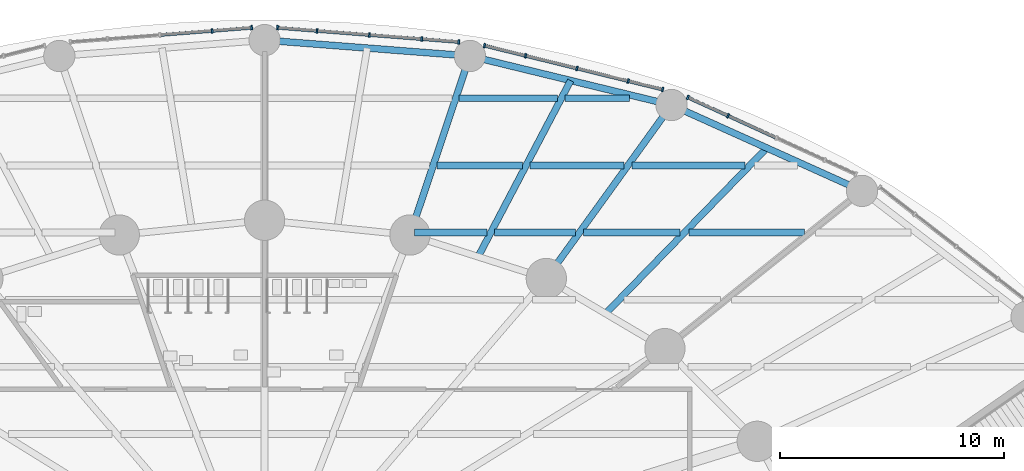
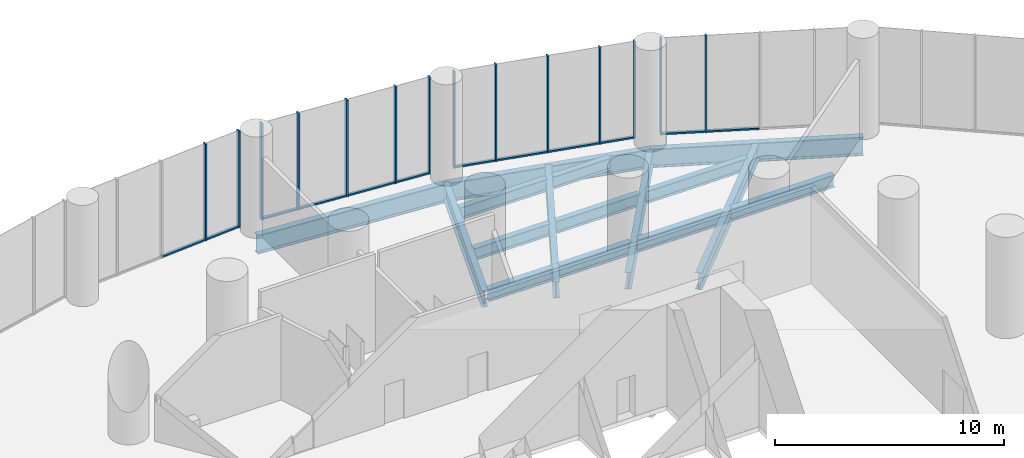
# One storey, part 10 of 21: 26 members, 16 beams, 4 elements without a shape of their own.
"""IFC4 building model written with IfcOpenShell, lengths in metres."""

import ifcopenshell
import ifcopenshell.guid

model = None  # the IFC model being written
_history = None  # IfcOwnerHistory: only IFC2X3 demands one
_inside = {}  # id of a spatial element -> (the spatial element, [elements in it])
_under = {}  # id of a project, library or spatial element -> (it, [spatial elements below it])
_declared = {}  # id of a project -> (the project, [libraries it declares])
_typed = {}  # id of a type object -> (the type object, [elements of that type])
_made_of = {}  # id of a material, layer set ... -> (it, [elements and type objects made of it])


def new_model(schema):
    """Start an empty IFC model of exactly this schema.

    Asked for "IFC4X3", IfcOpenShell would pick the latest addendum, in which some entities
    have other attributes; the version numbers below select the first issue.
    IFC2X3 requires an IfcOwnerHistory on every rooted entity: one is made here for all.
    """
    global model, _history
    if schema == "IFC4X3":
        model = ifcopenshell.file(schema_version=(4, 3, 0, 0))
    else:
        model = ifcopenshell.file(schema=schema)
    _inside.clear()
    _under.clear()
    _declared.clear()
    _typed.clear()
    _made_of.clear()
    _history = None
    if model.schema == "IFC2X3":
        org = make("IfcOrganization", Name="unknown")
        user = make(
            "IfcPersonAndOrganization",
            ThePerson=make("IfcPerson", FamilyName="unknown"),
            TheOrganization=org,
        )
        app = make(
            "IfcApplication",
            ApplicationDeveloper=org,
            Version="unknown",
            ApplicationFullName="unknown",
            ApplicationIdentifier="unknown",
        )
        _history = make(
            "IfcOwnerHistory",
            OwningUser=user,
            OwningApplication=app,
            ChangeAction="ADDED",
            CreationDate=0,
        )
    return model


def make(cls, **values):
    """One entity of the class cls with the attributes given. An attribute that is None is left unset."""
    return model.create_entity(
        cls, **{name: value for name, value in values.items() if value is not None}
    )


def rooted(cls, **values):
    """An entity with a GlobalId (a new one), such as an element, a storey or a relation."""
    return make(cls, GlobalId=ifcopenshell.guid.new(), OwnerHistory=_history, **values)


def si_unit(unit_type, name, prefix=None):
    """IfcSIUnit, for example si_unit("LENGTHUNIT", "METRE", prefix="MILLI")."""
    return make("IfcSIUnit", UnitType=unit_type, Prefix=prefix, Name=name)


def assignment(units):
    """IfcUnitAssignment: the units of a project."""
    return None if units is None else make("IfcUnitAssignment", Units=units)


def point(xyz):
    """IfcCartesianPoint."""
    return None if xyz is None else make("IfcCartesianPoint", Coordinates=xyz)


def direction(xyz):
    """IfcDirection."""
    return None if xyz is None else make("IfcDirection", DirectionRatios=xyz)


def frame(location, z_axis=None, x_axis=None):
    """IfcAxis2Placement3D, a coordinate frame: its origin and axes. An axis left out is left unset."""
    return make(
        "IfcAxis2Placement3D",
        Location=point(location),
        Axis=direction(z_axis),
        RefDirection=direction(x_axis),
    )


def frame_2d(location, x_axis=None):
    """IfcAxis2Placement2D, a coordinate frame in the plane: its origin and x axis."""
    return make(
        "IfcAxis2Placement2D", Location=point(location), RefDirection=direction(x_axis)
    )


def origin():
    """The frame at (0, 0, 0) with its axes left unset."""
    return frame((0.0, 0.0, 0.0))


def origin_2d():
    """The frame at (0, 0) in the plane with its x axis left unset."""
    return frame_2d((0.0, 0.0))


def place(relative_to, where):
    """IfcLocalPlacement: puts the frame where relative to a parent placement (None: the world)."""
    return make(
        "IfcLocalPlacement", PlacementRelTo=relative_to, RelativePlacement=where
    )


def context(
    kind, dimensions, precision=None, world=None, true_north=None, identifier=None
):
    """IfcGeometricRepresentationContext, for example the 3D "Model" context."""
    return make(
        "IfcGeometricRepresentationContext",
        ContextIdentifier=identifier,
        ContextType=kind,
        CoordinateSpaceDimension=dimensions,
        Precision=precision,
        WorldCoordinateSystem=world,
        TrueNorth=true_north,
    )


def subcontext(parent, identifier, kind, view, scale=None):
    """IfcGeometricRepresentationSubContext, for example "Body" below "Model"."""
    return make(
        "IfcGeometricRepresentationSubContext",
        ContextIdentifier=identifier,
        ContextType=kind,
        ParentContext=parent,
        TargetScale=scale,
        TargetView=view,
    )


def project(units=None, contexts=None):
    """IfcProject with its units and contexts."""
    return rooted(
        "IfcProject",
        Name="project",
        RepresentationContexts=contexts,
        UnitsInContext=assignment(units),
    )


def spatial(cls, under=None, at=None, **own):
    """A site, building, storey or space (cls), placed at a placement, below another one or the project."""
    s = rooted(cls, ObjectPlacement=at, **own)
    if under is not None:
        _under.setdefault(under.id(), (under, []))[1].append(s)
    return s


def profile(cls, at=None, kind="AREA", **sizes):
    """A parametric profile (cls). Its sizes go by their IFC names, for example OverallWidth=200.0."""
    return make(cls, ProfileType=kind, Position=at, **sizes)


def rectangle(**sizes):
    """IfcRectangleProfileDef."""
    return profile("IfcRectangleProfileDef", **sizes)


def i_section(**sizes):
    """IfcIShapeProfileDef."""
    return profile("IfcIShapeProfileDef", **sizes)


def extrude(swept, where, along, depth):
    """IfcExtrudedAreaSolid: the profile swept, set in the frame where, extruded along a direction by depth."""
    return make(
        "IfcExtrudedAreaSolid",
        SweptArea=swept,
        Position=where,
        ExtrudedDirection=direction(along),
        Depth=depth,
    )


def shape(context_of_items, identifier, shape_type, items):
    """IfcShapeRepresentation: the items that make up one representation, for example the "Body"."""
    return make(
        "IfcShapeRepresentation",
        ContextOfItems=context_of_items,
        RepresentationIdentifier=identifier,
        RepresentationType=shape_type,
        Items=items,
    )


def material(Name=None, Category=None):
    """IfcMaterial."""
    return make("IfcMaterial", Name=Name, Category=Category)


def material_profile(
    of_material, cross_section, Name=None, Category=None, Priority=None
):
    """IfcMaterialProfile: a cross section and its material."""
    return make(
        "IfcMaterialProfile",
        Name=Name,
        Material=of_material,
        Profile=cross_section,
        Priority=Priority,
        Category=Category,
    )


def profile_set(profiles, Name=None, composite=None):
    """IfcMaterialProfileSet."""
    return make(
        "IfcMaterialProfileSet",
        Name=Name,
        MaterialProfiles=profiles,
        CompositeProfile=composite,
    )


def made_of(thing, what):
    """Note that an element or type object is made of a material, layer set ...; save() writes the relation."""
    if what is not None:
        _made_of.setdefault(what.id(), (what, []))[1].append(thing)
    return thing


def type_object(cls, material=None, **own):
    """A type object (cls), such as IfcWallType, which elements share."""
    return made_of(rooted(cls, **own), material)


def element(
    cls,
    number,
    at=None,
    inside=None,
    cuts=None,
    type_object=None,
    material=None,
    context=None,
    identifier="Body",
    shape_type=None,
    held_by="IfcProductDefinitionShape",
    body=None,
    shapes=None,
    **own,
):
    """One element of the class cls, such as IfcWall. Its Tag is "e" and its number.

    at: its placement. inside: the storey or other place that contains it. cuts: it is an
    opening in that element (IfcRelVoidsElement). A single representation is given by context,
    identifier, shape_type and body (its items); several are given by shapes. held_by: the class
    of the entity that holds the representations. save() writes the other relations.
    """
    e = rooted(cls, Tag="e%d" % number, ObjectPlacement=at, **own)
    if body is not None:
        shapes = [shape(context, identifier, shape_type, body)]
    if shapes is not None:
        e.Representation = make(held_by, Representations=shapes)
    if inside is not None:
        _inside.setdefault(inside.id(), (inside, []))[1].append(e)
    if cuts is not None:
        rooted(
            "IfcRelVoidsElement", RelatingBuildingElement=cuts, RelatedOpeningElement=e
        )
    if type_object is not None:
        _typed.setdefault(type_object.id(), (type_object, []))[1].append(e)
    return made_of(e, material)


def aggregate(whole, parts):
    """IfcRelAggregates: a whole, such as a stair, and the parts it consists of."""
    return rooted("IfcRelAggregates", RelatingObject=whole, RelatedObjects=parts)


def save(model, path):
    """Write the relations noted so far, then the file.

    IfcRelAggregates (storeys below a building ...), IfcRelContainedInSpatialStructure (elements
    in a storey), IfcRelDefinesByType, IfcRelAssociatesMaterial and IfcRelDeclares: one each for
    every whole, place, type object, material and project.
    """
    for whole, parts in _under.values():
        aggregate(whole, parts)
    for where, things in _inside.values():
        rooted(
            "IfcRelContainedInSpatialStructure",
            RelatedElements=things,
            RelatingStructure=where,
        )
    for kind, things in _typed.values():
        rooted("IfcRelDefinesByType", RelatedObjects=things, RelatingType=kind)
    for what, things in _made_of.values():
        rooted("IfcRelAssociatesMaterial", RelatedObjects=things, RelatingMaterial=what)
    for by, libraries in _declared.values():
        rooted("IfcRelDeclares", RelatingContext=by, RelatedDefinitions=libraries)
    model.write(path)


model = new_model("IFC4")

# Units and contexts
model_context = context("Model", 3, precision=1e-05, world=origin(), true_north=direction((0.0, 1.0)))
body_context = subcontext(model_context, "Body", "Model", "MODEL_VIEW")
ifc_project = project(units=[si_unit("LENGTHUNIT", "METRE"), si_unit("AREAUNIT", "SQUARE_METRE"), si_unit("VOLUMEUNIT", "CUBIC_METRE"), si_unit("PLANEANGLEUNIT", "RADIAN"), si_unit("MASSUNIT", "GRAM", prefix="KILO")], contexts=[model_context])

# Site, building, storey
site_placement = place(None, origin())
site = spatial("IfcSite", under=ifc_project, at=site_placement, CompositionType="ELEMENT")
building_placement = place(site_placement, origin())
building = spatial("IfcBuilding", under=site, at=building_placement, Name="Hankou Lantern Tower", CompositionType="ELEMENT")
storey_placement = place(building_placement, frame((0.0, 0.0, 13.800048828125)))
storey = spatial("IfcBuildingStorey", under=building, at=storey_placement, Name="L02", CompositionType="ELEMENT", Elevation=13.800048828125)

# Curtain wall, members
ifc_material_1 = material(Name="Glass, dark grey tinted laminated", Category="glass")
curtain_wall_type = type_object("IfcCurtainWallType", Name="CWP PODIUM CURTAIN WALL", PredefinedType="USERDEFINED", material=ifc_material_1)
curtain_wall_1_placement = place(storey_placement, origin())
curtain_wall_1 = element("IfcCurtainWall", 1, at=curtain_wall_1_placement, inside=storey, type_object=curtain_wall_type, Name="CWP L02 PC02", ObjectType="PODIUM GLAZING", PredefinedType="USERDEFINED")
ifc_material_2 = material(Name="Aluminium, black anodised", Category="aluminium")
ifc_material_profile_1 = material_profile(ifc_material_2, rectangle(XDim=0.080078125, YDim=0.199951171875, at=origin_2d()), Name="MU2 80X200")
ifc_profile_set_1 = profile_set([ifc_material_profile_1], Name="Aluminium, black anodised")
member_type_1 = type_object("IfcMemberType", Name="MU2 PODIUM MULLION 80X200", PredefinedType="MULLION", material=ifc_profile_set_1)
member_1_placement = place(storey_placement, frame((20.711669921875, 24.717041015625, 0.0), z_axis=(0.0, 0.0, 1.0), x_axis=(-0.909669790944, 0.41533224224, 0.0)))
member_1 = element("IfcMember", 2, at=member_1_placement, type_object=member_type_1, Name="CWP mullion 4", PredefinedType="MULLION", context=body_context, shape_type="SweptSolid", body=[
    extrude(rectangle(XDim=0.080078125, YDim=0.199951171875, at=origin_2d()), origin(), (0.0, 0.0, 1.0), 5.14990234375),
])
member_2_placement = place(storey_placement, frame((18.913818359375, 25.537841796875, 0.0), z_axis=(0.0, 0.0, 1.0), x_axis=(-0.909669790944, 0.41533224224, 0.0)))
member_2 = element("IfcMember", 3, at=member_2_placement, type_object=member_type_1, Name="CWP mullion 5", PredefinedType="MULLION", context=body_context, shape_type="SweptSolid", body=[
    extrude(rectangle(XDim=0.080078125, YDim=0.199951171875, at=origin_2d()), origin(), (0.0, 0.0, 1.0), 5.14990234375),
])

curtain_wall_2_placement = place(storey_placement, origin())
curtain_wall_2 = element("IfcCurtainWall", 4, at=curtain_wall_2_placement, inside=storey, type_object=curtain_wall_type, Name="CWP L02 PC03", ObjectType="PODIUM GLAZING", PredefinedType="USERDEFINED")
member_3_placement = place(storey_placement, frame((17.785888671875, 25.892333984375, 0.0), z_axis=(0.0, 0.0, 1.0), x_axis=(-0.970960955091, 0.239238006364, 0.0)))
member_3 = element("IfcMember", 5, at=member_3_placement, type_object=member_type_1, Name="CWP mullion 1", PredefinedType="MULLION", context=body_context, shape_type="SweptSolid", body=[
    extrude(rectangle(XDim=0.080078125, YDim=0.199951171875, at=origin_2d()), origin(), (0.0, 0.0, 1.0), 5.14990234375),
])
member_4_placement = place(storey_placement, frame((16.25439453125, 26.26953125, 0.0), z_axis=(0.0, 0.0, 1.0), x_axis=(-0.970960955091, 0.239238006364, 0.0)))
member_4 = element("IfcMember", 6, at=member_4_placement, type_object=member_type_1, Name="CWP mullion 2", PredefinedType="MULLION", context=body_context, shape_type="SweptSolid", body=[
    extrude(rectangle(XDim=0.080078125, YDim=0.199951171875, at=origin_2d()), origin(), (0.0, 0.0, 1.0), 5.14990234375),
])
member_5_placement = place(storey_placement, frame((13.95849609375, 26.835205078125, 0.0), z_axis=(0.0, 0.0, 1.0), x_axis=(-0.970960955091, 0.239238006364, 0.0)))
member_5 = element("IfcMember", 7, at=member_5_placement, type_object=member_type_1, Name="CWP mullion 3", PredefinedType="MULLION", context=body_context, shape_type="SweptSolid", body=[
    extrude(rectangle(XDim=0.080078125, YDim=0.199951171875, at=origin_2d()), origin(), (0.0, 0.0, 1.0), 5.14990234375),
])
member_6_placement = place(storey_placement, frame((11.662841796875, 27.40087890625, 0.0), z_axis=(0.0, 0.0, 1.0), x_axis=(-0.970960955091, 0.239238006364, 0.0)))
member_6 = element("IfcMember", 8, at=member_6_placement, type_object=member_type_1, Name="CWP mullion 4", PredefinedType="MULLION", context=body_context, shape_type="SweptSolid", body=[
    extrude(rectangle(XDim=0.080078125, YDim=0.199951171875, at=origin_2d()), origin(), (0.0, 0.0, 1.0), 5.14990234375),
])
member_7_placement = place(storey_placement, frame((9.83056640625, 27.852294921875, 0.0), z_axis=(0.0, 0.0, 1.0), x_axis=(-0.970960955091, 0.239238006364, 0.0)))
member_7 = element("IfcMember", 9, at=member_7_placement, type_object=member_type_1, Name="CWP mullion 5", PredefinedType="MULLION", context=body_context, shape_type="SweptSolid", body=[
    extrude(rectangle(XDim=0.080078125, YDim=0.199951171875, at=origin_2d()), origin(), (0.0, 0.0, 1.0), 5.14990234375),
])

curtain_wall_3_placement = place(storey_placement, origin())
curtain_wall_3 = element("IfcCurtainWall", 10, at=curtain_wall_3_placement, inside=storey, type_object=curtain_wall_type, Name="CWP L02 PC04", ObjectType="PODIUM GLAZING", PredefinedType="USERDEFINED")
member_8_placement = place(storey_placement, frame((8.678955078125, 28.0205078125, 0.0), z_axis=(0.0, 0.0, 1.0), x_axis=(-0.996948515213, 0.078061885796, 0.0)))
member_8 = element("IfcMember", 11, at=member_8_placement, type_object=member_type_1, Name="CWP mullion 1", PredefinedType="MULLION", context=body_context, shape_type="SweptSolid", body=[
    extrude(rectangle(XDim=0.080078125, YDim=0.199951171875, at=origin_2d()), origin(), (0.0, 0.0, 1.0), 5.14990234375),
])
member_9_placement = place(storey_placement, frame((7.025146484375, 28.14990234375, 0.0), z_axis=(0.0, 0.0, 1.0), x_axis=(-0.996948515213, 0.078061885796, 0.0)))
member_9 = element("IfcMember", 12, at=member_9_placement, type_object=member_type_1, Name="CWP mullion 2", PredefinedType="MULLION", context=body_context, shape_type="SweptSolid", body=[
    extrude(rectangle(XDim=0.080078125, YDim=0.199951171875, at=origin_2d()), origin(), (0.0, 0.0, 1.0), 5.14990234375),
])
member_10_placement = place(storey_placement, frame((4.68359375, 28.333251953125, 0.0), z_axis=(0.0, 0.0, 1.0), x_axis=(-0.996948515213, 0.078061885796, 0.0)))
member_10 = element("IfcMember", 13, at=member_10_placement, type_object=member_type_1, Name="CWP mullion 3", PredefinedType="MULLION", context=body_context, shape_type="SweptSolid", body=[
    extrude(rectangle(XDim=0.080078125, YDim=0.199951171875, at=origin_2d()), origin(), (0.0, 0.0, 1.0), 5.14990234375),
])
member_11_placement = place(storey_placement, frame((2.341796875, 28.5166015625, 0.0), z_axis=(0.0, 0.0, 1.0), x_axis=(-0.996948515213, 0.078061885796, 0.0)))
member_11 = element("IfcMember", 14, at=member_11_placement, type_object=member_type_1, Name="CWP mullion 4", PredefinedType="MULLION", context=body_context, shape_type="SweptSolid", body=[
    extrude(rectangle(XDim=0.080078125, YDim=0.199951171875, at=origin_2d()), origin(), (0.0, 0.0, 1.0), 5.14990234375),
])
member_12_placement = place(storey_placement, frame((0.578857421875, 28.65478515625, 0.0), z_axis=(0.0, 0.0, 1.0), x_axis=(-0.996948515213, 0.078061885796, 0.0)))
member_12 = element("IfcMember", 15, at=member_12_placement, type_object=member_type_1, Name="CWP mullion 5", PredefinedType="MULLION", context=body_context, shape_type="SweptSolid", body=[
    extrude(rectangle(XDim=0.080078125, YDim=0.199951171875, at=origin_2d()), origin(), (0.0, 0.0, 1.0), 5.14990234375),
])

curtain_wall_4_placement = place(storey_placement, origin())
curtain_wall_4 = element("IfcCurtainWall", 16, at=curtain_wall_4_placement, inside=storey, type_object=curtain_wall_type, Name="CWP L02 PC05", ObjectType="PODIUM GLAZING", PredefinedType="USERDEFINED")
member_13_placement = place(storey_placement, frame((-0.578857421875, 28.65478515625, 0.0), z_axis=(0.0, 0.0, 1.0), x_axis=(-0.996948515213, -0.078061885796, 0.0)))
member_13 = element("IfcMember", 17, at=member_13_placement, type_object=member_type_1, Name="CWP mullion 1", PredefinedType="MULLION", context=body_context, shape_type="SweptSolid", body=[
    extrude(rectangle(XDim=0.080078125, YDim=0.199951171875, at=origin_2d()), origin(), (0.0, 0.0, 1.0), 5.14990234375),
])
member_14_placement = place(storey_placement, frame((-2.341796875, 28.5166015625, 0.0), z_axis=(0.0, 0.0, 1.0), x_axis=(-0.996948515213, -0.078061885796, 0.0)))
member_14 = element("IfcMember", 18, at=member_14_placement, type_object=member_type_1, Name="CWP mullion 2", PredefinedType="MULLION", context=body_context, shape_type="SweptSolid", body=[
    extrude(rectangle(XDim=0.080078125, YDim=0.199951171875, at=origin_2d()), origin(), (0.0, 0.0, 1.0), 5.14990234375),
])

# Beams
ifc_material_3 = material(Name="Steel Q355B", Category="steel")
ifc_material_profile_2 = material_profile(ifc_material_3, i_section(OverallWidth=0.300048828125, OverallDepth=0.89990234375, WebThickness=0.01611328125, FlangeThickness=0.028076171875, FilletRadius=0.01806640625, at=origin_2d()), Name="HN900x300x16x28")
ifc_profile_set_2 = profile_set([ifc_material_profile_2], Name="Steel Q355B")
beam_type_1 = type_object("IfcBeamType", Name="PB13 PODIUM RADIAL BEAM HN900x300x16x28", PredefinedType="BEAM", material=ifc_profile_set_2)
beam_1_placement = place(storey_placement, frame((12.5908203125, 17.446533203125, -0.699951171875), z_axis=(0.585207097055, 0.810883871807, 0.0), x_axis=(-0.810883871807, 0.585207097055, 0.0)))
element("IfcBeam", 19, at=beam_1_placement, inside=storey, type_object=beam_type_1, Name="Podium radial beam R05 L02", PredefinedType="BEAM", context=body_context, shape_type="SweptSolid", body=[
    extrude(i_section(OverallWidth=0.300048828125, OverallDepth=0.89990234375, WebThickness=0.01611328125, FlangeThickness=0.028076171875, FilletRadius=0.01806640625, at=origin_2d()), origin(), (0.0, 0.0, 1.0), 9.56103515625),
])
beam_2_placement = place(storey_placement, frame((6.494873046875, 19.391357421875, -0.699951171875), z_axis=(0.317599116391, 0.948225079434, 0.0), x_axis=(-0.948225079434, 0.317599116391, 0.0)))
element("IfcBeam", 20, at=beam_2_placement, inside=storey, type_object=beam_type_1, Name="Podium radial beam R06 L02", PredefinedType="BEAM", context=body_context, shape_type="SweptSolid", body=[
    extrude(i_section(OverallWidth=0.300048828125, OverallDepth=0.89990234375, WebThickness=0.01611328125, FlangeThickness=0.028076171875, FilletRadius=0.01806640625, at=origin_2d()), origin(), (0.0, 0.0, 1.0), 8.4365234375),
])
ifc_material_4 = material(Name="Steel Q355B", Category="steel")
ifc_material_profile_3 = material_profile(ifc_material_4, i_section(OverallWidth=0.300048828125, OverallDepth=1.0, WebThickness=0.01904296875, FlangeThickness=0.035888671875, FilletRadius=0.01806640625, at=origin_2d()), Name="HN1000x300x19x36")
ifc_profile_set_3 = profile_set([ifc_material_profile_3], Name="Steel Q355B")
beam_type_2 = type_object("IfcBeamType", Name="PR22 PODIUM RING BEAM HN1000x300x19x36", PredefinedType="BEAM", material=ifc_profile_set_3)
beam_3_placement = place(storey_placement, frame((26.7021484375, 21.361572265625, -0.75), z_axis=(-0.911695429723, 0.410866697874, 0.0), x_axis=(-0.410866697874, -0.911695429723, 0.0)))
element("IfcBeam", 21, at=beam_3_placement, inside=storey, type_object=beam_type_2, Name="Podium ring beam R04-R05 L02", PredefinedType="BEAM", context=body_context, shape_type="SweptSolid", body=[
    extrude(i_section(OverallWidth=0.300048828125, OverallDepth=1.0, WebThickness=0.01904296875, FlangeThickness=0.035888671875, FilletRadius=0.01806640625, at=origin_2d()), origin(), (0.0, 0.0, 1.0), 9.341064453125),
])
beam_4_placement = place(storey_placement, frame((18.18603515625, 25.199462890625, -0.75), z_axis=(-0.971677242441, 0.23631194748, 0.0), x_axis=(-0.23631194748, -0.971677242441, 0.0)))
element("IfcBeam", 22, at=beam_4_placement, inside=storey, type_object=beam_type_2, Name="Podium ring beam R05-R06 L02", PredefinedType="BEAM", context=body_context, shape_type="SweptSolid", body=[
    extrude(i_section(OverallWidth=0.300048828125, OverallDepth=1.0, WebThickness=0.01904296875, FlangeThickness=0.035888671875, FilletRadius=0.01806640625, at=origin_2d()), origin(), (0.0, 0.0, 1.0), 9.2744140625),
])
beam_5_placement = place(storey_placement, frame((9.17431640625, 27.39111328125, -0.75), z_axis=(-0.997027266507, 0.077049528499, 0.0), x_axis=(-0.077049528499, -0.997027266507, 0.0)))
element("IfcBeam", 23, at=beam_5_placement, inside=storey, type_object=beam_type_2, Name="Podium ring beam R06-R07 L02", PredefinedType="BEAM", context=body_context, shape_type="SweptSolid", body=[
    extrude(i_section(OverallWidth=0.300048828125, OverallDepth=1.0, WebThickness=0.01904296875, FlangeThickness=0.035888671875, FilletRadius=0.01806640625, at=origin_2d()), origin(), (0.0, 0.0, 1.0), 9.20166015625),
])
ifc_material_5 = material(Name="Steel Q355B", Category="steel")
ifc_material_profile_4 = material_profile(ifc_material_5, i_section(OverallWidth=0.300048828125, OverallDepth=0.89990234375, WebThickness=0.01611328125, FlangeThickness=0.028076171875, FilletRadius=0.01806640625, at=origin_2d()), Name="HN900x300x16x28")
ifc_profile_set_4 = profile_set([ifc_material_profile_4], Name="Steel Q355B")
beam_type_3 = type_object("IfcBeamType", Name="PS13 PODIUM SECONDARY BEAM HN900x300x16x28", PredefinedType="JOIST", material=ifc_profile_set_4)
beam_6_placement = place(storey_placement, frame((15.2412109375, 15.8798828125, -0.699951171875), z_axis=(0.697467529957, 0.716616385981, 0.0), x_axis=(-0.716616385981, 0.697467529957, 0.0)))
element("IfcBeam", 24, at=beam_6_placement, inside=storey, type_object=beam_type_3, Name="Podium secondary beam bay R04 L02", PredefinedType="JOIST", context=body_context, shape_type="SweptSolid", body=[
    extrude(i_section(OverallWidth=0.300048828125, OverallDepth=0.89990234375, WebThickness=0.01611328125, FlangeThickness=0.028076171875, FilletRadius=0.01806640625, at=origin_2d()), origin(), (0.0, 0.0, 1.0), 10.3271484375),
])
beam_7_placement = place(storey_placement, frame((9.54296875, 18.4189453125, -0.699951171875), z_axis=(0.465026961303, 0.88529651827, 0.0), x_axis=(-0.88529651827, 0.465026961303, 0.0)))
element("IfcBeam", 25, at=beam_7_placement, inside=storey, type_object=beam_type_3, Name="Podium secondary beam bay R05 L02", PredefinedType="JOIST", context=body_context, shape_type="SweptSolid", body=[
    extrude(i_section(OverallWidth=0.300048828125, OverallDepth=0.89990234375, WebThickness=0.01611328125, FlangeThickness=0.028076171875, FilletRadius=0.01806640625, at=origin_2d()), origin(), (0.0, 0.0, 1.0), 8.896728515625),
])
ifc_material_6 = material(Name="Steel Q355B", Category="steel")
ifc_material_profile_5 = material_profile(ifc_material_6, i_section(OverallWidth=0.300048828125, OverallDepth=0.64990234375, WebThickness=0.010986328125, FlangeThickness=0.01708984375, FilletRadius=0.01806640625, at=origin_2d()), Name="HN650x300x11x17")
ifc_profile_set_5 = profile_set([ifc_material_profile_5], Name="Steel Q355B")
beam_type_4 = type_object("IfcBeamType", Name="SB8 SECONDARY BEAM HN650x300x11x17", PredefinedType="JOIST", material=ifc_profile_set_5)
beam_8_placement = place(storey_placement, frame((6.689453125, 19.5, -0.574951171875), z_axis=(1.0, 0.0, 0.0), x_axis=(0.0, 1.0, 0.0)))
element("IfcBeam", 26, at=beam_8_placement, inside=storey, type_object=beam_type_4, Name="Floor joist J144 L02", PredefinedType="JOIST", context=body_context, shape_type="SweptSolid", body=[
    extrude(i_section(OverallWidth=0.300048828125, OverallDepth=0.64990234375, WebThickness=0.010986328125, FlangeThickness=0.01708984375, FilletRadius=0.01806640625, at=origin_2d()), origin(), (0.0, 0.0, 1.0), 3.251953125),
])
beam_9_placement = place(storey_placement, frame((10.2802734375, 19.5, -0.574951171875), z_axis=(1.0, 0.0, 0.0), x_axis=(0.0, 1.0, 0.0)))
element("IfcBeam", 27, at=beam_9_placement, inside=storey, type_object=beam_type_4, Name="Floor joist J145 L02", PredefinedType="JOIST", context=body_context, shape_type="SweptSolid", body=[
    extrude(i_section(OverallWidth=0.300048828125, OverallDepth=0.64990234375, WebThickness=0.010986328125, FlangeThickness=0.01708984375, FilletRadius=0.01806640625, at=origin_2d()), origin(), (0.0, 0.0, 1.0), 3.607666015625),
])
beam_10_placement = place(storey_placement, frame((14.2578125, 19.5, -0.574951171875), z_axis=(1.0, 0.0, 0.0), x_axis=(0.0, 1.0, 0.0)))
element("IfcBeam", 28, at=beam_10_placement, inside=storey, type_object=beam_type_4, Name="Floor joist J146 L02", PredefinedType="JOIST", context=body_context, shape_type="SweptSolid", body=[
    extrude(i_section(OverallWidth=0.300048828125, OverallDepth=0.64990234375, WebThickness=0.010986328125, FlangeThickness=0.01708984375, FilletRadius=0.01806640625, at=origin_2d()), origin(), (0.0, 0.0, 1.0), 4.29736328125),
])
beam_11_placement = place(storey_placement, frame((18.973876953125, 19.5, -0.574951171875), z_axis=(1.0, 0.0, 0.0), x_axis=(0.0, 1.0, 0.0)))
element("IfcBeam", 29, at=beam_11_placement, inside=storey, type_object=beam_type_4, Name="Floor joist J147 L02", PredefinedType="JOIST", context=body_context, shape_type="SweptSolid", body=[
    extrude(i_section(OverallWidth=0.300048828125, OverallDepth=0.64990234375, WebThickness=0.010986328125, FlangeThickness=0.01708984375, FilletRadius=0.01806640625, at=origin_2d()), origin(), (0.0, 0.0, 1.0), 5.160888671875),
])
beam_12_placement = place(storey_placement, frame((7.6943359375, 22.5, -0.574951171875), z_axis=(1.0, 0.0, 0.0), x_axis=(0.0, 1.0, 0.0)))
element("IfcBeam", 30, at=beam_12_placement, inside=storey, type_object=beam_type_4, Name="Floor joist J157 L02", PredefinedType="JOIST", context=body_context, shape_type="SweptSolid", body=[
    extrude(i_section(OverallWidth=0.300048828125, OverallDepth=0.64990234375, WebThickness=0.010986328125, FlangeThickness=0.01708984375, FilletRadius=0.01806640625, at=origin_2d()), origin(), (0.0, 0.0, 1.0), 3.82275390625),
])
beam_13_placement = place(storey_placement, frame((11.85595703125, 22.5, -0.574951171875), z_axis=(1.0, 0.0, 0.0), x_axis=(0.0, 1.0, 0.0)))
element("IfcBeam", 31, at=beam_13_placement, inside=storey, type_object=beam_type_4, Name="Floor joist J158 L02", PredefinedType="JOIST", context=body_context, shape_type="SweptSolid", body=[
    extrude(i_section(OverallWidth=0.300048828125, OverallDepth=0.64990234375, WebThickness=0.010986328125, FlangeThickness=0.01708984375, FilletRadius=0.01806640625, at=origin_2d()), origin(), (0.0, 0.0, 1.0), 4.197021484375),
])
beam_14_placement = place(storey_placement, frame((16.423095703125, 22.5, -0.574951171875), z_axis=(1.0, 0.0, 0.0), x_axis=(0.0, 1.0, 0.0)))
element("IfcBeam", 32, at=beam_14_placement, inside=storey, type_object=beam_type_4, Name="Floor joist J159 L02", PredefinedType="JOIST", context=body_context, shape_type="SweptSolid", body=[
    extrude(i_section(OverallWidth=0.300048828125, OverallDepth=0.64990234375, WebThickness=0.010986328125, FlangeThickness=0.01708984375, FilletRadius=0.01806640625, at=origin_2d()), origin(), (0.0, 0.0, 1.0), 5.052001953125),
])
beam_15_placement = place(storey_placement, frame((8.698974609375, 25.5, -0.574951171875), z_axis=(1.0, 0.0, 0.0), x_axis=(0.0, 1.0, 0.0)))
element("IfcBeam", 33, at=beam_15_placement, inside=storey, type_object=beam_type_4, Name="Floor joist J167 L02", PredefinedType="JOIST", context=body_context, shape_type="SweptSolid", body=[
    extrude(i_section(OverallWidth=0.300048828125, OverallDepth=0.64990234375, WebThickness=0.010986328125, FlangeThickness=0.01708984375, FilletRadius=0.01806640625, at=origin_2d()), origin(), (0.0, 0.0, 1.0), 4.39404296875),
])
beam_16_placement = place(storey_placement, frame((13.431884765625, 25.5, -0.574951171875), z_axis=(1.0, 0.0, 0.0), x_axis=(0.0, 1.0, 0.0)))
element("IfcBeam", 34, at=beam_16_placement, inside=storey, type_object=beam_type_4, Name="Floor joist J168 L02", PredefinedType="JOIST", context=body_context, shape_type="SweptSolid", body=[
    extrude(i_section(OverallWidth=0.300048828125, OverallDepth=0.64990234375, WebThickness=0.010986328125, FlangeThickness=0.01708984375, FilletRadius=0.01806640625, at=origin_2d()), origin(), (0.0, 0.0, 1.0), 2.883544921875),
])

# Member
ifc_material_7 = material(Name="Aluminium, black anodised", Category="aluminium")
ifc_material_profile_6 = material_profile(ifc_material_7, rectangle(XDim=0.14990234375, YDim=0.080078125, at=origin_2d()), Name="TR2 150X80")
ifc_profile_set_6 = profile_set([ifc_material_profile_6], Name="Aluminium, black anodised")
member_type_2 = type_object("IfcMemberType", Name="TR2 PODIUM TRANSOM 150X80", PredefinedType="USERDEFINED", material=ifc_profile_set_6)
member_15_placement = place(storey_placement, frame((22.836669921875, 23.746826171875, 0.0400390625), z_axis=(-0.909669664149, 0.415332519949, 0.0), x_axis=(-0.415332519949, -0.909669664149, 0.0)))
member_15 = element("IfcMember", 35, at=member_15_placement, type_object=member_type_2, Name="CWP transom 3", ObjectType="TRANSOM", PredefinedType="USERDEFINED", context=body_context, shape_type="SweptSolid", body=[
    extrude(rectangle(XDim=0.14990234375, YDim=0.080078125, at=origin_2d()), origin(), (0.0, 0.0, 1.0), 2.296142578125),
])

member_16_placement = place(storey_placement, frame((20.67529296875, 24.733642578125, 0.0400390625), z_axis=(-0.909677430468, 0.41531550958, 0.0), x_axis=(-0.41531550958, -0.909677430468, 0.0)))
member_16 = element("IfcMember", 36, at=member_16_placement, type_object=member_type_2, Name="CWP transom 4", ObjectType="TRANSOM", PredefinedType="USERDEFINED", context=body_context, shape_type="SweptSolid", body=[
    extrude(rectangle(XDim=0.14990234375, YDim=0.080078125, at=origin_2d()), origin(), (0.0, 0.0, 1.0), 1.896484375),
])

aggregate(curtain_wall_1, [member_1, member_2, member_15, member_16])

member_17_placement = place(storey_placement, frame((17.7470703125, 25.90185546875, 0.0400390625), z_axis=(-0.970971197991, 0.239196431142, 0.0), x_axis=(-0.239196431142, -0.970971197991, 0.0)))
member_17 = element("IfcMember", 37, at=member_17_placement, type_object=member_type_2, Name="CWP transom 1", ObjectType="TRANSOM", PredefinedType="USERDEFINED", context=body_context, shape_type="SweptSolid", body=[
    extrude(rectangle(XDim=0.14990234375, YDim=0.080078125, at=origin_2d()), origin(), (0.0, 0.0, 1.0), 1.497314453125),
])

member_18_placement = place(storey_placement, frame((16.215576171875, 26.279052734375, 0.0400390625), z_axis=(-0.970948059845, 0.239290336378, 0.0), x_axis=(-0.239290336378, -0.970948059845, 0.0)))
member_18 = element("IfcMember", 38, at=member_18_placement, type_object=member_type_2, Name="CWP transom 2", ObjectType="TRANSOM", PredefinedType="USERDEFINED", context=body_context, shape_type="SweptSolid", body=[
    extrude(rectangle(XDim=0.14990234375, YDim=0.080078125, at=origin_2d()), origin(), (0.0, 0.0, 1.0), 2.284423828125),
])

member_19_placement = place(storey_placement, frame((13.919677734375, 26.8447265625, 0.0400390625), z_axis=(-0.970948059845, 0.239290336378, 0.0), x_axis=(-0.239290336378, -0.970948059845, 0.0)))
member_19 = element("IfcMember", 39, at=member_19_placement, type_object=member_type_2, Name="CWP transom 3", ObjectType="TRANSOM", PredefinedType="USERDEFINED", context=body_context, shape_type="SweptSolid", body=[
    extrude(rectangle(XDim=0.14990234375, YDim=0.080078125, at=origin_2d()), origin(), (0.0, 0.0, 1.0), 2.284423828125),
])

member_20_placement = place(storey_placement, frame((11.6240234375, 27.410400390625, 0.0400390625), z_axis=(-0.970955515261, 0.23926008314, 0.0), x_axis=(-0.23926008314, -0.970955515261, 0.0)))
member_20 = element("IfcMember", 40, at=member_20_placement, type_object=member_type_2, Name="CWP transom 4", ObjectType="TRANSOM", PredefinedType="USERDEFINED", context=body_context, shape_type="SweptSolid", body=[
    extrude(rectangle(XDim=0.14990234375, YDim=0.080078125, at=origin_2d()), origin(), (0.0, 0.0, 1.0), 1.80712890625),
])

aggregate(curtain_wall_2, [member_3, member_4, member_5, member_6, member_7, member_17, member_18, member_19, member_20])

member_21_placement = place(storey_placement, frame((8.638916015625, 28.023681640625, 0.0400390625), z_axis=(-0.996957260436, 0.077950117788, 0.0), x_axis=(-0.077950117788, -0.996957260436, 0.0)))
member_21 = element("IfcMember", 41, at=member_21_placement, type_object=member_type_2, Name="CWP transom 1", ObjectType="TRANSOM", PredefinedType="USERDEFINED", context=body_context, shape_type="SweptSolid", body=[
    extrude(rectangle(XDim=0.14990234375, YDim=0.080078125, at=origin_2d()), origin(), (0.0, 0.0, 1.0), 1.57861328125),
])

member_22_placement = place(storey_placement, frame((6.9853515625, 28.153076171875, 0.0400390625), z_axis=(-0.996952341782, 0.078013000301, 0.0), x_axis=(-0.078013000301, -0.996952341782, 0.0)))
member_22 = element("IfcMember", 42, at=member_22_placement, type_object=member_type_2, Name="CWP transom 2", ObjectType="TRANSOM", PredefinedType="USERDEFINED", context=body_context, shape_type="SweptSolid", body=[
    extrude(rectangle(XDim=0.14990234375, YDim=0.080078125, at=origin_2d()), origin(), (0.0, 0.0, 1.0), 2.268798828125),
])

member_23_placement = place(storey_placement, frame((4.6435546875, 28.33642578125, 0.0400390625), z_axis=(-0.996952341782, 0.078013000301, 0.0), x_axis=(-0.078013000301, -0.996952341782, 0.0)))
member_23 = element("IfcMember", 43, at=member_23_placement, type_object=member_type_2, Name="CWP transom 3", ObjectType="TRANSOM", PredefinedType="USERDEFINED", context=body_context, shape_type="SweptSolid", body=[
    extrude(rectangle(XDim=0.14990234375, YDim=0.080078125, at=origin_2d()), origin(), (0.0, 0.0, 1.0), 2.268798828125),
])

member_24_placement = place(storey_placement, frame((2.3017578125, 28.519775390625, 0.0400390625), z_axis=(-0.996946329832, 0.078089790848, 0.0), x_axis=(-0.078089790848, -0.996946329832, 0.0)))
member_24 = element("IfcMember", 44, at=member_24_placement, type_object=member_type_2, Name="CWP transom 4", ObjectType="TRANSOM", PredefinedType="USERDEFINED", context=body_context, shape_type="SweptSolid", body=[
    extrude(rectangle(XDim=0.14990234375, YDim=0.080078125, at=origin_2d()), origin(), (0.0, 0.0, 1.0), 1.688232421875),
])

aggregate(curtain_wall_3, [member_8, member_9, member_10, member_11, member_12, member_21, member_22, member_23, member_24])

member_25_placement = place(storey_placement, frame((-0.61865234375, 28.651611328125, 0.0400390625), z_axis=(-0.996946329832, -0.078089790848, 0.0), x_axis=(0.078089790848, -0.996946329832, 0.0)))
member_25 = element("IfcMember", 45, at=member_25_placement, type_object=member_type_2, Name="CWP transom 1", ObjectType="TRANSOM", PredefinedType="USERDEFINED", context=body_context, shape_type="SweptSolid", body=[
    extrude(rectangle(XDim=0.14990234375, YDim=0.080078125, at=origin_2d()), origin(), (0.0, 0.0, 1.0), 1.688232421875),
])

member_26_placement = place(storey_placement, frame((-2.381591796875, 28.513427734375, 0.0400390625), z_axis=(-0.996952341782, -0.078013000301, 0.0), x_axis=(0.078013000301, -0.996952341782, 0.0)))
member_26 = element("IfcMember", 46, at=member_26_placement, type_object=member_type_2, Name="CWP transom 2", ObjectType="TRANSOM", PredefinedType="USERDEFINED", context=body_context, shape_type="SweptSolid", body=[
    extrude(rectangle(XDim=0.14990234375, YDim=0.080078125, at=origin_2d()), origin(), (0.0, 0.0, 1.0), 2.268798828125),
])

aggregate(curtain_wall_4, [member_13, member_14, member_25, member_26])

save(model, "model.ifc")
